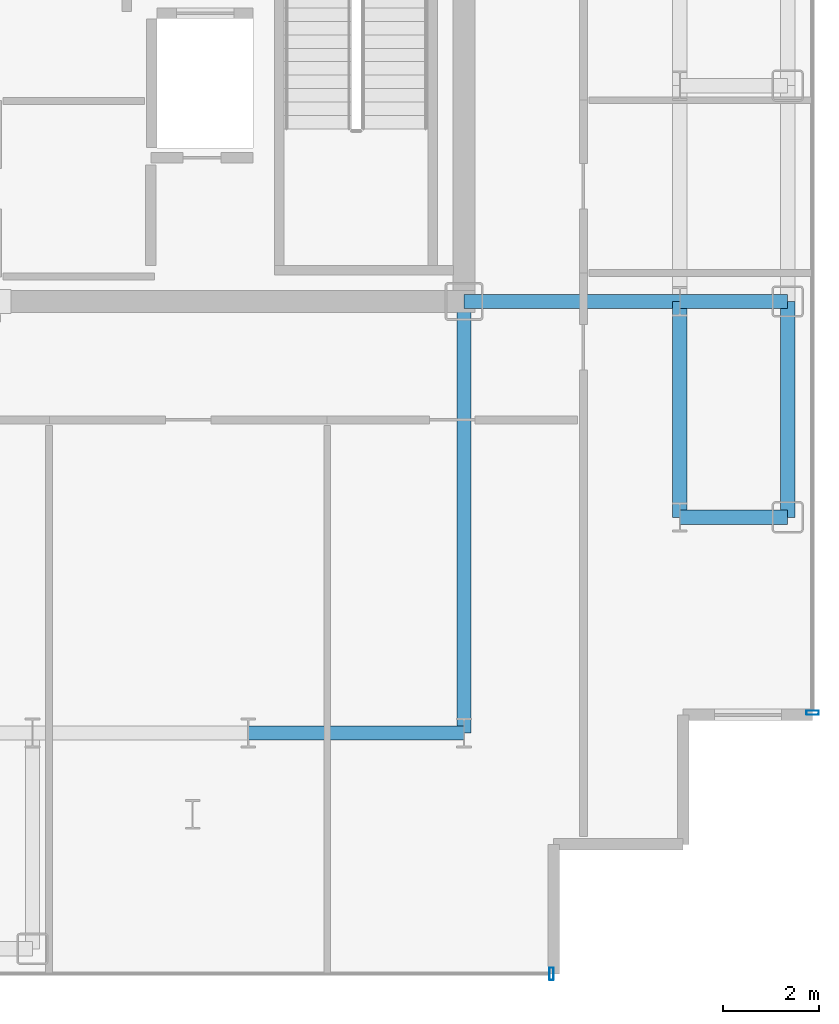
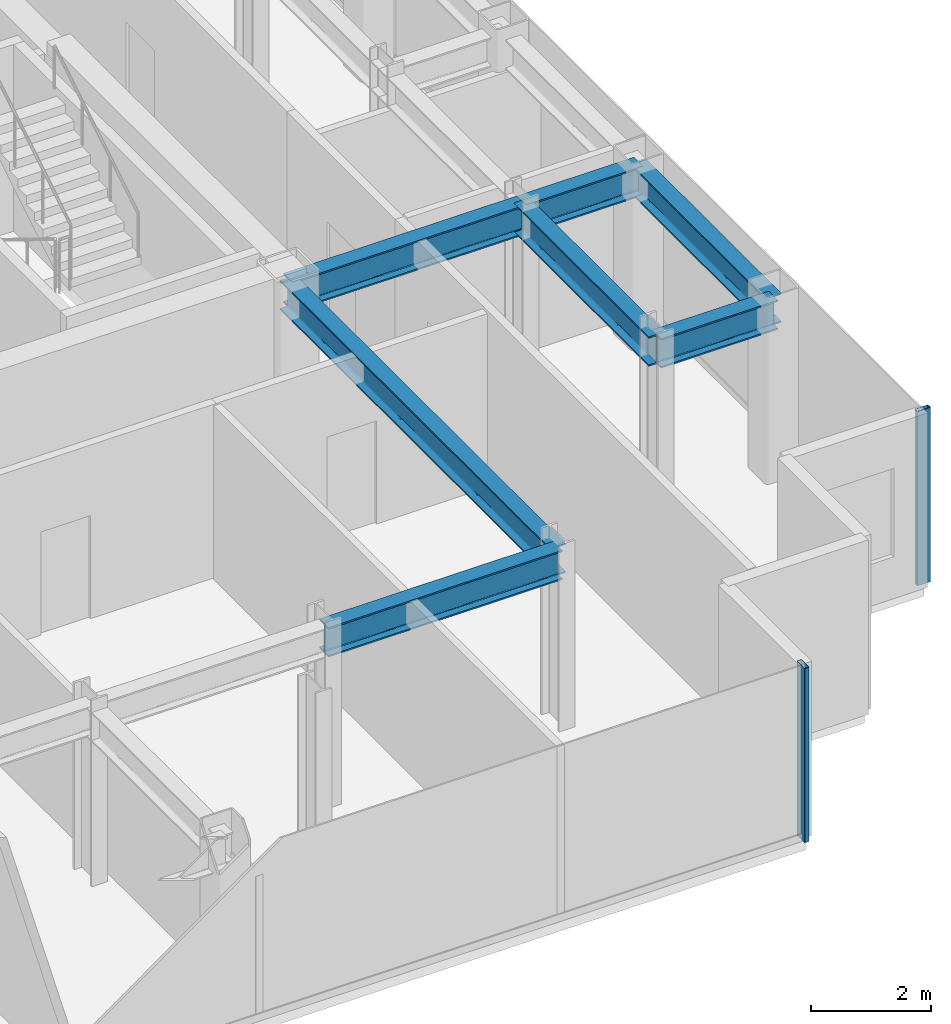
# One storey, part 6 of 18: 7 beams, 2 members, 2 elements without a shape of their own.
"""IFC4 building model written with IfcOpenShell, lengths in metres."""

from ifc_helpers import new_model, si_unit, direction, frame, origin, origin_2d, place, context, subcontext, project, spatial, hollow_rectangle, i_section, extrude, source, transform, mapped, material, layer, layer_set, material_profile, profile_set, type_object, element, aggregate, save


model = new_model("IFC4")

# Units and contexts
model_context = context("Model", 3, precision=1e-05, world=origin(), true_north=direction((0.0, 1.0)))
body_context = subcontext(model_context, "Body", "Model", "MODEL_VIEW")
ifc_project = project(units=[si_unit("LENGTHUNIT", "METRE"), si_unit("AREAUNIT", "SQUARE_METRE"), si_unit("VOLUMEUNIT", "CUBIC_METRE"), si_unit("PLANEANGLEUNIT", "RADIAN"), si_unit("MASSUNIT", "GRAM", prefix="KILO")], contexts=[model_context])

# Site, building, storey
site_placement = place(None, origin())
site = spatial("IfcSite", under=ifc_project, at=site_placement, CompositionType="ELEMENT")
building_placement = place(site_placement, origin())
building = spatial("IfcBuilding", under=site, at=building_placement, Name="Nefas-Gora Pilgrimage Tower", CompositionType="ELEMENT")
storey_placement = place(building_placement, frame((0.0, 0.0, 268.39990234375)))
storey = spatial("IfcBuildingStorey", under=building, at=storey_placement, Name="L67", CompositionType="ELEMENT", Elevation=268.39990234375)

# Beams
ifc_material_1 = material(Name="Steel S355", Category="steel")
ifc_material_profile_1 = material_profile(ifc_material_1, i_section(OverallWidth=0.300048828125, OverallDepth=0.60009765625, WebThickness=0.015380859375, FlangeThickness=0.030029296875, FilletRadius=0.027099609375, at=origin_2d()), Name="HEB 600")
ifc_profile_set_1 = profile_set([ifc_material_profile_1], Name="Steel S355")
beam_type_1 = type_object("IfcBeamType", Name="BM-SPN-HEB450", PredefinedType="SPANDREL", material=ifc_profile_set_1)
shared_shape_1 = source(origin(), body_context, "Body", "SweptSolid", [
    extrude(i_section(OverallWidth=0.300048828125, OverallDepth=0.60009765625, WebThickness=0.015380859375, FlangeThickness=0.030029296875, FilletRadius=0.027099609375, at=origin_2d()), origin(), (0.0, 0.0, 1.0), 4.5),
])
beam_1_placement = place(storey_placement, frame((18.0, -13.5, 3.25), z_axis=(0.0, 1.0, 0.0), x_axis=(-1.0, 0.0, 0.0)))
element("IfcBeam", 1, at=beam_1_placement, inside=storey, type_object=beam_type_1, Name="L67 SP-03 beam", PredefinedType="SPANDREL", context=body_context, shape_type="MappedRepresentation", body=[
    mapped(shared_shape_1, transform((0.0, 0.0, 0.0), x_axis=(1.0, 0.0, 0.0), y_axis=(0.0, 1.0, 0.0), z_axis=(0.0, 0.0, 1.0), scale=1.0)),
])
ifc_material_profile_2 = material_profile(ifc_material_1, i_section(OverallWidth=0.300048828125, OverallDepth=0.60009765625, WebThickness=0.015380859375, FlangeThickness=0.030029296875, FilletRadius=0.027099609375, at=origin_2d()), Name="HEB 600")
ifc_profile_set_2 = profile_set([ifc_material_profile_2], Name="Steel S355")
beam_type_2 = type_object("IfcBeamType", Name="BM-GIR-HEB600", PredefinedType="BEAM", material=ifc_profile_set_2)
shared_shape_2 = source(origin(), body_context, "Body", "SweptSolid", [
    extrude(i_section(OverallWidth=0.300048828125, OverallDepth=0.60009765625, WebThickness=0.015380859375, FlangeThickness=0.030029296875, FilletRadius=0.027099609375, at=origin_2d()), origin(), (0.0, 0.0, 1.0), 9.0),
])
beam_2_placement = place(storey_placement, frame((11.25, -18.0, 3.25), z_axis=(0.0, 1.0, 0.0), x_axis=(-1.0, 0.0, 0.0)))
element("IfcBeam", 2, at=beam_2_placement, inside=storey, type_object=beam_type_2, Name="L67 G-04 beam", PredefinedType="BEAM", context=body_context, shape_type="MappedRepresentation", body=[
    mapped(shared_shape_2, transform((0.0, 0.0, 0.0), x_axis=(1.0, 0.0, 0.0), y_axis=(0.0, 1.0, 0.0), z_axis=(0.0, 0.0, 1.0), scale=1.0)),
])
shared_shape_3 = source(origin(), body_context, "Body", "SweptSolid", [
    extrude(i_section(OverallWidth=0.300048828125, OverallDepth=0.60009765625, WebThickness=0.015380859375, FlangeThickness=0.030029296875, FilletRadius=0.027099609375, at=origin_2d()), origin(), (0.0, 0.0, 1.0), 4.5),
])
for number, where, z_axis, x_axis, name in (
    (3, (6.75, -18.0, 3.25), (1.0, 0.0, 0.0), (0.0, 1.0, 0.0), "L67 G-04 beam"),
    (4, (11.25, -9.0, 3.25), (1.0, 0.0, 0.0), (0.0, 1.0, 0.0), "L67 G-04 beam"),
    (5, (15.75, -13.5, 3.25), (0.0, 1.0, 0.0), (-1.0, 0.0, 0.0), "L67 G-04 beam"),
):
    element("IfcBeam", number, at=place(storey_placement, frame(where, z_axis=z_axis, x_axis=x_axis)), inside=storey, type_object=beam_type_2, Name=name, PredefinedType="BEAM", context=body_context, shape_type="MappedRepresentation", body=[
        mapped(shared_shape_3, transform((0.0, 0.0, 0.0), x_axis=(1.0, 0.0, 0.0), y_axis=(0.0, 1.0, 0.0), z_axis=(0.0, 0.0, 1.0), scale=1.0)),
    ])
shared_shape_4 = source(origin(), body_context, "Body", "SweptSolid", [
    extrude(i_section(OverallWidth=0.300048828125, OverallDepth=0.60009765625, WebThickness=0.015380859375, FlangeThickness=0.030029296875, FilletRadius=0.027099609375, at=origin_2d()), origin(), (0.0, 0.0, 1.0), 2.25),
])
for number, where, z_axis, x_axis, name in (
    (6, (15.75, -13.5, 3.25), (1.0, 0.0, 0.0), (0.0, 1.0, 0.0), "L67 G-04 beam"),
    (7, (15.75, -9.0, 3.25), (1.0, 0.0, 0.0), (0.0, 1.0, 0.0), "L67 G-04 beam"),
):
    element("IfcBeam", number, at=place(storey_placement, frame(where, z_axis=z_axis, x_axis=x_axis)), inside=storey, type_object=beam_type_2, Name=name, PredefinedType="BEAM", context=body_context, shape_type="MappedRepresentation", body=[
        mapped(shared_shape_4, transform((0.0, 0.0, 0.0), x_axis=(1.0, 0.0, 0.0), y_axis=(0.0, 1.0, 0.0), z_axis=(0.0, 0.0, 1.0), scale=1.0)),
    ])

# Curtain wall, member
ifc_material_2 = material(Name="Dark ceramic-fritted solar-control aluminium-glass curtain wall", Category="aluminium")
ifc_layer = layer(ifc_material_2, 0.219970703125)
ifc_layer_set = layer_set([ifc_layer], Name="Dark ceramic-fritted solar-control aluminium-glass curtain wall")
curtain_wall_type = type_object("IfcCurtainWallType", Name="CW-SYS-4", PredefinedType="NOTDEFINED", material=ifc_layer_set)
curtain_wall_1_placement = place(storey_placement, origin())
curtain_wall_1 = element("IfcCurtainWall", 8, at=curtain_wall_1_placement, inside=storey, type_object=curtain_wall_type, Name="L67 Unitised Curtain Wall CW4", PredefinedType="NOTDEFINED")
ifc_material_3 = material(Name="Anodised architectural aluminium", Category="aluminium")
ifc_material_profile_3 = material_profile(ifc_material_3, hollow_rectangle(XDim=0.090087890625, YDim=0.260009765625, WallThickness=0.006103515625, InnerFilletRadius=0.006103515625, OuterFilletRadius=0.011962890625, at=origin_2d()), Name="ALU MULLION 90x260")
ifc_profile_set_3 = profile_set([ifc_material_profile_3], Name="Anodised architectural aluminium")
member_type = type_object("IfcMemberType", Name="CWM-MUL-4", PredefinedType="MULLION", material=ifc_profile_set_3)
shared_shape_5 = source(origin(), body_context, "Body", "SweptSolid", [
    extrude(hollow_rectangle(XDim=0.090087890625, YDim=0.260009765625, WallThickness=0.006103515625, InnerFilletRadius=0.006103515625, OuterFilletRadius=0.011962890625, at=origin_2d()), origin(), (0.0, 0.0, 1.0), 3.550048828125),
])
member_1_placement = place(storey_placement, frame((18.52001953125, -17.574951171875, 0.0), z_axis=(0.0, 0.0, 1.0), x_axis=(0.0, 1.0, 0.0)))
member_1 = element("IfcMember", 9, at=member_1_placement, type_object=member_type, Name="CW4 Mullion 1", PredefinedType="MULLION", context=body_context, shape_type="MappedRepresentation", body=[
    mapped(shared_shape_5, transform((0.0, 0.0, 0.0), x_axis=(1.0, 0.0, 0.0), y_axis=(0.0, 1.0, 0.0), z_axis=(0.0, 0.0, 1.0), scale=1.0)),
])
aggregate(curtain_wall_1, [member_1])

curtain_wall_2_placement = place(storey_placement, origin())
curtain_wall_2 = element("IfcCurtainWall", 10, at=curtain_wall_2_placement, inside=storey, type_object=curtain_wall_type, Name="L67 Unitised Curtain Wall CW4", PredefinedType="NOTDEFINED")
member_2_placement = place(storey_placement, frame((13.074951171875, -23.02001953125, 0.0), z_axis=(0.0, 0.0, 1.0), x_axis=(1.0, 0.0, 0.0)))
member_2 = element("IfcMember", 11, at=member_2_placement, type_object=member_type, Name="CW4 Mullion 2", PredefinedType="MULLION", context=body_context, shape_type="MappedRepresentation", body=[
    mapped(shared_shape_5, transform((0.0, 0.0, 0.0), x_axis=(1.0, 0.0, 0.0), y_axis=(0.0, 1.0, 0.0), z_axis=(0.0, 0.0, 1.0), scale=1.0)),
])
aggregate(curtain_wall_2, [member_2])

save(model, "model.ifc")
